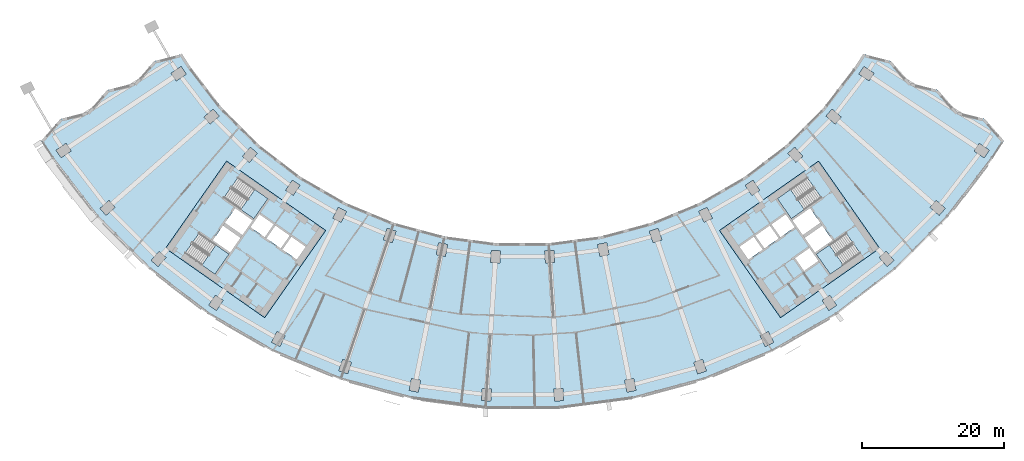
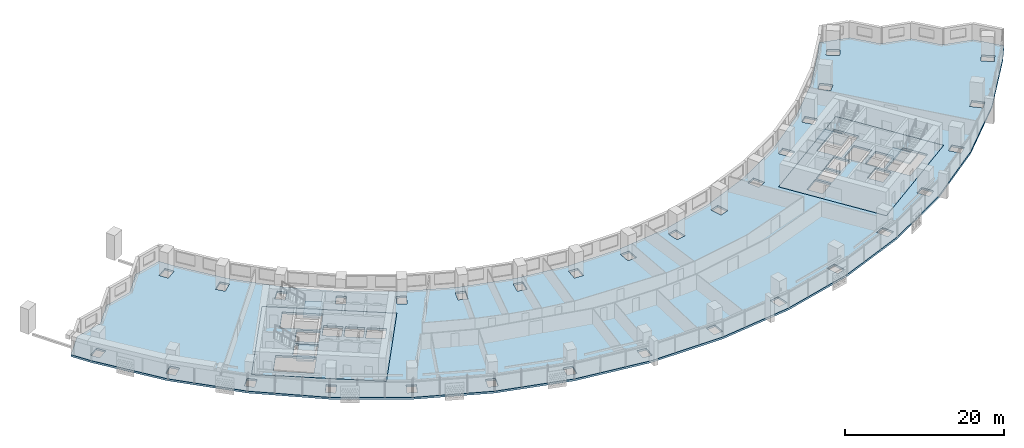
# One storey, part 2 of 30: 7 slabs, 4 elements without a shape of their own.
"""IFC4 building model written with IfcOpenShell, lengths in metres."""

import ifcopenshell
import ifcopenshell.guid

model = None  # the IFC model being written
_history = None  # IfcOwnerHistory: only IFC2X3 demands one
_inside = {}  # id of a spatial element -> (the spatial element, [elements in it])
_under = {}  # id of a project, library or spatial element -> (it, [spatial elements below it])
_declared = {}  # id of a project -> (the project, [libraries it declares])
_typed = {}  # id of a type object -> (the type object, [elements of that type])
_made_of = {}  # id of a material, layer set ... -> (it, [elements and type objects made of it])


def new_model(schema):
    """Start an empty IFC model of exactly this schema.

    Asked for "IFC4X3", IfcOpenShell would pick the latest addendum, in which some entities
    have other attributes; the version numbers below select the first issue.
    IFC2X3 requires an IfcOwnerHistory on every rooted entity: one is made here for all.
    """
    global model, _history
    if schema == "IFC4X3":
        model = ifcopenshell.file(schema_version=(4, 3, 0, 0))
    else:
        model = ifcopenshell.file(schema=schema)
    _inside.clear()
    _under.clear()
    _declared.clear()
    _typed.clear()
    _made_of.clear()
    _history = None
    if model.schema == "IFC2X3":
        org = make("IfcOrganization", Name="unknown")
        user = make(
            "IfcPersonAndOrganization",
            ThePerson=make("IfcPerson", FamilyName="unknown"),
            TheOrganization=org,
        )
        app = make(
            "IfcApplication",
            ApplicationDeveloper=org,
            Version="unknown",
            ApplicationFullName="unknown",
            ApplicationIdentifier="unknown",
        )
        _history = make(
            "IfcOwnerHistory",
            OwningUser=user,
            OwningApplication=app,
            ChangeAction="ADDED",
            CreationDate=0,
        )
    return model


def make(cls, **values):
    """One entity of the class cls with the attributes given. An attribute that is None is left unset."""
    return model.create_entity(
        cls, **{name: value for name, value in values.items() if value is not None}
    )


def rooted(cls, **values):
    """An entity with a GlobalId (a new one), such as an element, a storey or a relation."""
    return make(cls, GlobalId=ifcopenshell.guid.new(), OwnerHistory=_history, **values)


def si_unit(unit_type, name, prefix=None):
    """IfcSIUnit, for example si_unit("LENGTHUNIT", "METRE", prefix="MILLI")."""
    return make("IfcSIUnit", UnitType=unit_type, Prefix=prefix, Name=name)


def assignment(units):
    """IfcUnitAssignment: the units of a project."""
    return None if units is None else make("IfcUnitAssignment", Units=units)


def point(xyz):
    """IfcCartesianPoint."""
    return None if xyz is None else make("IfcCartesianPoint", Coordinates=xyz)


def direction(xyz):
    """IfcDirection."""
    return None if xyz is None else make("IfcDirection", DirectionRatios=xyz)


def frame(location, z_axis=None, x_axis=None):
    """IfcAxis2Placement3D, a coordinate frame: its origin and axes. An axis left out is left unset."""
    return make(
        "IfcAxis2Placement3D",
        Location=point(location),
        Axis=direction(z_axis),
        RefDirection=direction(x_axis),
    )


def origin():
    """The frame at (0, 0, 0) with its axes left unset."""
    return frame((0.0, 0.0, 0.0))


def place(relative_to, where):
    """IfcLocalPlacement: puts the frame where relative to a parent placement (None: the world)."""
    return make(
        "IfcLocalPlacement", PlacementRelTo=relative_to, RelativePlacement=where
    )


def context(
    kind, dimensions, precision=None, world=None, true_north=None, identifier=None
):
    """IfcGeometricRepresentationContext, for example the 3D "Model" context."""
    return make(
        "IfcGeometricRepresentationContext",
        ContextIdentifier=identifier,
        ContextType=kind,
        CoordinateSpaceDimension=dimensions,
        Precision=precision,
        WorldCoordinateSystem=world,
        TrueNorth=true_north,
    )


def subcontext(parent, identifier, kind, view, scale=None):
    """IfcGeometricRepresentationSubContext, for example "Body" below "Model"."""
    return make(
        "IfcGeometricRepresentationSubContext",
        ContextIdentifier=identifier,
        ContextType=kind,
        ParentContext=parent,
        TargetScale=scale,
        TargetView=view,
    )


def project(units=None, contexts=None):
    """IfcProject with its units and contexts."""
    return rooted(
        "IfcProject",
        Name="project",
        RepresentationContexts=contexts,
        UnitsInContext=assignment(units),
    )


def spatial(cls, under=None, at=None, **own):
    """A site, building, storey or space (cls), placed at a placement, below another one or the project."""
    s = rooted(cls, ObjectPlacement=at, **own)
    if under is not None:
        _under.setdefault(under.id(), (under, []))[1].append(s)
    return s


def polyline(points):
    """IfcPolyline through the points."""
    return make("IfcPolyline", Points=[point(p) for p in points])


def outline(outer, holes=None, kind="AREA"):
    """IfcArbitraryClosedProfileDef: a profile drawn as a closed curve; with holes, ...WithVoids."""
    if holes is None:
        return make("IfcArbitraryClosedProfileDef", ProfileType=kind, OuterCurve=outer)
    return make(
        "IfcArbitraryProfileDefWithVoids",
        ProfileType=kind,
        OuterCurve=outer,
        InnerCurves=holes,
    )


def extrude(swept, where, along, depth):
    """IfcExtrudedAreaSolid: the profile swept, set in the frame where, extruded along a direction by depth."""
    return make(
        "IfcExtrudedAreaSolid",
        SweptArea=swept,
        Position=where,
        ExtrudedDirection=direction(along),
        Depth=depth,
    )


def shape(context_of_items, identifier, shape_type, items):
    """IfcShapeRepresentation: the items that make up one representation, for example the "Body"."""
    return make(
        "IfcShapeRepresentation",
        ContextOfItems=context_of_items,
        RepresentationIdentifier=identifier,
        RepresentationType=shape_type,
        Items=items,
    )


def material(Name=None, Category=None):
    """IfcMaterial."""
    return make("IfcMaterial", Name=Name, Category=Category)


def layer(
    of_material, thickness, ventilated=None, Name=None, Category=None, Priority=None
):
    """IfcMaterialLayer: one layer of a wall or slab, of a material (None: an air gap)."""
    return make(
        "IfcMaterialLayer",
        Material=of_material,
        LayerThickness=thickness,
        IsVentilated=ventilated,
        Name=Name,
        Category=Category,
        Priority=Priority,
    )


def layer_set(layers, Name=None):
    """IfcMaterialLayerSet."""
    return make("IfcMaterialLayerSet", MaterialLayers=layers, LayerSetName=Name)


def made_of(thing, what):
    """Note that an element or type object is made of a material, layer set ...; save() writes the relation."""
    if what is not None:
        _made_of.setdefault(what.id(), (what, []))[1].append(thing)
    return thing


def type_object(cls, material=None, **own):
    """A type object (cls), such as IfcWallType, which elements share."""
    return made_of(rooted(cls, **own), material)


def element(
    cls,
    number,
    at=None,
    inside=None,
    cuts=None,
    type_object=None,
    material=None,
    context=None,
    identifier="Body",
    shape_type=None,
    held_by="IfcProductDefinitionShape",
    body=None,
    shapes=None,
    **own,
):
    """One element of the class cls, such as IfcWall. Its Tag is "e" and its number.

    at: its placement. inside: the storey or other place that contains it. cuts: it is an
    opening in that element (IfcRelVoidsElement). A single representation is given by context,
    identifier, shape_type and body (its items); several are given by shapes. held_by: the class
    of the entity that holds the representations. save() writes the other relations.
    """
    e = rooted(cls, Tag="e%d" % number, ObjectPlacement=at, **own)
    if body is not None:
        shapes = [shape(context, identifier, shape_type, body)]
    if shapes is not None:
        e.Representation = make(held_by, Representations=shapes)
    if inside is not None:
        _inside.setdefault(inside.id(), (inside, []))[1].append(e)
    if cuts is not None:
        rooted(
            "IfcRelVoidsElement", RelatingBuildingElement=cuts, RelatedOpeningElement=e
        )
    if type_object is not None:
        _typed.setdefault(type_object.id(), (type_object, []))[1].append(e)
    return made_of(e, material)


def aggregate(whole, parts):
    """IfcRelAggregates: a whole, such as a stair, and the parts it consists of."""
    return rooted("IfcRelAggregates", RelatingObject=whole, RelatedObjects=parts)


def save(model, path):
    """Write the relations noted so far, then the file.

    IfcRelAggregates (storeys below a building ...), IfcRelContainedInSpatialStructure (elements
    in a storey), IfcRelDefinesByType, IfcRelAssociatesMaterial and IfcRelDeclares: one each for
    every whole, place, type object, material and project.
    """
    for whole, parts in _under.values():
        aggregate(whole, parts)
    for where, things in _inside.values():
        rooted(
            "IfcRelContainedInSpatialStructure",
            RelatedElements=things,
            RelatingStructure=where,
        )
    for kind, things in _typed.values():
        rooted("IfcRelDefinesByType", RelatedObjects=things, RelatingType=kind)
    for what, things in _made_of.values():
        rooted("IfcRelAssociatesMaterial", RelatedObjects=things, RelatingMaterial=what)
    for by, libraries in _declared.values():
        rooted("IfcRelDeclares", RelatingContext=by, RelatedDefinitions=libraries)
    model.write(path)


model = new_model("IFC4")

# Units and contexts
model_context = context("Model", 3, precision=1e-05, world=origin(), true_north=direction((0.0, 1.0)))
body_context = subcontext(model_context, "Body", "Model", "MODEL_VIEW")
ifc_project = project(units=[si_unit("LENGTHUNIT", "METRE"), si_unit("AREAUNIT", "SQUARE_METRE"), si_unit("VOLUMEUNIT", "CUBIC_METRE"), si_unit("PLANEANGLEUNIT", "RADIAN"), si_unit("MASSUNIT", "GRAM", prefix="KILO")], contexts=[model_context])

# Site, building, storey
site_placement = place(None, origin())
site = spatial("IfcSite", under=ifc_project, at=site_placement, CompositionType="ELEMENT")
building_placement = place(site_placement, origin())
building = spatial("IfcBuilding", under=site, at=building_placement, Name="Qamariyya Broadcast Tower", CompositionType="ELEMENT")
storey_placement = place(building_placement, frame((0.0, 0.0, 67.10009765625)))
storey = spatial("IfcBuildingStorey", under=building, at=storey_placement, Name="L13", CompositionType="ELEMENT", Elevation=67.10009765625)

# Slabs
ifc_material_1 = material(Name="Concrete C40/50", Category="concrete")
ifc_layer_1 = layer(ifc_material_1, 0.300048828125)
ifc_layer_set_1 = layer_set([ifc_layer_1], Name="Core floor slab 300 mm Concrete C40/50")
slab_type_1 = type_object("IfcSlabType", Name="Core floor slab 300 mm Concrete C40/50", PredefinedType="FLOOR", material=ifc_layer_set_1)
slab_1_placement = place(storey_placement, frame((0.0, 0.0, -0.300048828125)))
element("IfcSlab", 1, at=slab_1_placement, inside=storey, type_object=slab_type_1, Name="k-W-L13-slab", PredefinedType="FLOOR", context=body_context, shape_type="SweptSolid", body=[
    extrude(outline(polyline([(-50.286376953125, -56.95751953125), (-36.32373046875, -66.734375), (-27.719970703125, -54.447021484375), (-41.6826171875, -44.67041015625), (-50.286376953125, -56.95751953125)]), holes=[polyline([(-31.80859375, -58.542724609375), (-33.8154296875, -57.137451171875), (-32.5537109375, -55.335205078125), (-30.546630859375, -56.740478515625), (-31.80859375, -58.542724609375)]), polyline([(-34.061279296875, -56.96533203125), (-36.068115234375, -55.56005859375), (-34.806396484375, -53.758056640625), (-32.79931640625, -55.163330078125), (-34.061279296875, -56.96533203125)]), polyline([(-36.31396484375, -55.387939453125), (-38.32080078125, -53.982666015625), (-37.058837890625, -52.1806640625), (-35.052001953125, -53.5859375), (-36.31396484375, -55.387939453125)]), polyline([(-39.742431640625, -55.489990234375), (-42.199951171875, -53.769287109375), (-43.6337890625, -55.817138671875), (-41.17626953125, -57.537841796875), (-39.742431640625, -55.489990234375)]), polyline([(-39.45556640625, -55.080322265625), (-41.9130859375, -53.359619140625), (-40.47900390625, -51.311767578125), (-38.021728515625, -53.032470703125), (-39.45556640625, -55.080322265625)]), polyline([(-42.06103515625, -49.837890625), (-37.849609375, -52.78662109375), (-35.870849609375, -49.960693359375), (-40.082275390625, -47.01171875), (-42.06103515625, -49.837890625)]), polyline([(-47.538818359375, -57.66064453125), (-43.3271484375, -60.609619140625), (-41.348388671875, -57.783447265625), (-45.559814453125, -54.834716796875), (-47.538818359375, -57.66064453125)])]), origin(), (0.0, 0.0, 1.0), 0.300048828125),
])
slab_2_placement = place(storey_placement, frame((0.0, 0.0, -0.300048828125)))
element("IfcSlab", 2, at=slab_2_placement, inside=storey, type_object=slab_type_1, Name="k-E-L13-slab", PredefinedType="FLOOR", context=body_context, shape_type="SweptSolid", body=[
    extrude(outline(polyline([(36.32373046875, -66.734375), (50.286376953125, -56.95751953125), (41.6826171875, -44.67041015625), (27.719970703125, -54.447021484375), (36.32373046875, -66.734375)]), holes=[polyline([(31.80859375, -58.542724609375), (33.8154296875, -57.137451171875), (32.5537109375, -55.335205078125), (30.546630859375, -56.740478515625), (31.80859375, -58.542724609375)]), polyline([(34.061279296875, -56.96533203125), (36.068115234375, -55.56005859375), (34.806396484375, -53.758056640625), (32.79931640625, -55.163330078125), (34.061279296875, -56.96533203125)]), polyline([(36.31396484375, -55.387939453125), (38.32080078125, -53.982666015625), (37.058837890625, -52.1806640625), (35.052001953125, -53.5859375), (36.31396484375, -55.387939453125)]), polyline([(38.378662109375, -58.3369140625), (40.3857421875, -56.931640625), (41.6474609375, -58.73388671875), (39.640625, -60.13916015625), (38.378662109375, -58.3369140625)]), polyline([(39.742431640625, -55.489990234375), (42.199951171875, -53.769287109375), (43.6337890625, -55.817138671875), (41.17626953125, -57.537841796875), (39.742431640625, -55.489990234375)]), polyline([(39.45556640625, -55.080322265625), (41.9130859375, -53.359619140625), (40.47900390625, -51.311767578125), (38.021728515625, -53.032470703125), (39.45556640625, -55.080322265625)]), polyline([(40.082275390625, -47.01171875), (35.870849609375, -49.960693359375), (37.849609375, -52.78662109375), (42.06103515625, -49.837890625), (40.082275390625, -47.01171875)]), polyline([(45.559814453125, -54.834716796875), (41.348388671875, -57.783447265625), (43.3271484375, -60.609619140625), (47.538818359375, -57.66064453125), (45.559814453125, -54.834716796875)])]), origin(), (0.0, 0.0, 1.0), 0.300048828125),
])
ifc_layer_2 = layer(ifc_material_1, 0.300048828125)
ifc_layer_set_2 = layer_set([ifc_layer_2], Name="Post-tensioned floor slab 300 C40/50")
slab_type_2 = type_object("IfcSlabType", Name="Post-tensioned floor slab 300 C40/50", PredefinedType="FLOOR", material=ifc_layer_set_2)
slab_3_placement = place(storey_placement, frame((0.0, 0.0, -0.300048828125)))
element("IfcSlab", 3, at=slab_3_placement, inside=storey, type_object=slab_type_2, Name="Floor slab S4 L13", PredefinedType="FLOOR", context=body_context, shape_type="SweptSolid", body=[
    extrude(outline(polyline([(-65.109130859375, -38.747802734375), (-67.79248046875, -41.812744140625), (-66.2265625, -44.251220703125), (-59.884033203125, -52.516845703125), (-52.516845703125, -59.884033203125), (-44.251220703125, -66.2265625), (-35.228271484375, -71.43603515625), (-25.6025390625, -75.423095703125), (-15.5390625, -78.11962890625), (-5.20947265625, -79.4794921875), (5.20947265625, -79.4794921875), (15.5390625, -78.11962890625), (25.6025390625, -75.423095703125), (35.228271484375, -71.43603515625), (44.251220703125, -66.2265625), (52.516845703125, -59.884033203125), (59.884033203125, -52.516845703125), (66.2265625, -44.251220703125), (67.79248046875, -41.812744140625), (65.109130859375, -38.747802734375), (61.18212890625, -37.735595703125), (58.497802734375, -34.670166015625), (54.571533203125, -33.658447265625), (51.885986328125, -30.59228515625), (47.961181640625, -29.581298828125), (46.853271484375, -31.306396484375), (42.3662109375, -37.154052734375), (37.154052734375, -42.3662109375), (31.306396484375, -46.853271484375), (24.9228515625, -50.538818359375), (18.113037109375, -53.359619140625), (10.993408203125, -55.267333984375), (3.685546875, -56.229248046875), (-3.685546875, -56.229248046875), (-10.993408203125, -55.267333984375), (-18.113037109375, -53.359619140625), (-24.9228515625, -50.538818359375), (-31.306396484375, -46.853271484375), (-37.154052734375, -42.3662109375), (-42.3662109375, -37.154052734375), (-46.853271484375, -31.306396484375), (-47.961181640625, -29.581298828125), (-51.885986328125, -30.59228515625), (-54.571533203125, -33.658447265625), (-58.497802734375, -34.670166015625), (-61.18212890625, -37.735595703125), (-65.109130859375, -38.747802734375)]), holes=[polyline([(-5.789306640625, -78.38916015625), (-5.67822265625, -76.69287109375), (-4.380859375, -76.77783203125), (-4.4921875, -78.47412109375), (-5.789306640625, -78.38916015625)]), polyline([(-15.9716796875, -76.962890625), (-15.639892578125, -75.295654296875), (-14.364990234375, -75.54931640625), (-14.696533203125, -77.216552734375), (-15.9716796875, -76.962890625)]), polyline([(-25.880615234375, -74.2197265625), (-25.334228515625, -72.610107421875), (-24.103271484375, -73.02783203125), (-24.649658203125, -74.6376953125), (-25.880615234375, -74.2197265625)]), polyline([(-35.346923828125, -70.206787109375), (-34.594970703125, -68.68212890625), (-33.428955078125, -69.257080078125), (-34.180908203125, -70.78173828125), (-35.346923828125, -70.206787109375)]), polyline([(-44.208251953125, -64.992431640625), (-43.263916015625, -63.578857421875), (-42.182861328125, -64.301025390625), (-43.12744140625, -65.714599609375), (-44.208251953125, -64.992431640625)]), polyline([(-52.313232421875, -58.666015625), (-51.1923828125, -57.387939453125), (-50.215087890625, -58.2451171875), (-51.3359375, -59.523193359375), (-52.313232421875, -58.666015625)]), polyline([(-12.167236328125, -57.837646484375), (-11.835693359375, -56.170166015625), (-10.560791015625, -56.423828125), (-10.892333984375, -58.09130859375), (-12.167236328125, -57.837646484375)]), polyline([(-41.6826171875, -44.67041015625), (-27.719970703125, -54.447021484375), (-36.32373046875, -66.734375), (-50.286376953125, -56.95751953125), (-41.6826171875, -44.67041015625)]), polyline([(-19.066162109375, -54.144775390625), (-17.835205078125, -54.562744140625), (-18.381591796875, -56.172607421875), (-19.612548828125, -55.754638671875), (-19.066162109375, -54.144775390625)]), polyline([(-26.72216796875, -52.7177734375), (-25.970458984375, -51.193115234375), (-24.804443359375, -51.76806640625), (-25.556396484375, -53.292724609375), (-26.72216796875, -52.7177734375)]), polyline([(-59.523193359375, -51.3359375), (-58.2451171875, -50.215087890625), (-57.387939453125, -51.1923828125), (-58.666015625, -52.313232421875), (-59.523193359375, -51.3359375)]), polyline([(-33.374755859375, -48.77880859375), (-32.43017578125, -47.365234375), (-31.349365234375, -48.08740234375), (-32.293701171875, -49.5009765625), (-33.374755859375, -48.77880859375)]), polyline([(-39.4560546875, -44.005126953125), (-38.335205078125, -42.72705078125), (-37.357666015625, -43.584228515625), (-38.478759765625, -44.8623046875), (-39.4560546875, -44.005126953125)]), polyline([(-65.714599609375, -43.12744140625), (-64.301025390625, -42.182861328125), (-63.578857421875, -43.263916015625), (-64.992431640625, -44.208251953125), (-65.714599609375, -43.12744140625)]), polyline([(-44.8623046875, -38.478759765625), (-43.584228515625, -37.357666015625), (-42.72705078125, -38.335205078125), (-44.005126953125, -39.4560546875), (-44.8623046875, -38.478759765625)]), polyline([(-48.08740234375, -31.349365234375), (-47.365234375, -32.43017578125), (-48.77880859375, -33.374755859375), (-49.5009765625, -32.293701171875), (-48.08740234375, -31.349365234375)]), polyline([(4.4921875, -78.47412109375), (4.380859375, -76.77783203125), (5.67822265625, -76.69287109375), (5.789306640625, -78.38916015625), (4.4921875, -78.47412109375)]), polyline([(14.696533203125, -77.216552734375), (14.364990234375, -75.54931640625), (15.639892578125, -75.295654296875), (15.9716796875, -76.962890625), (14.696533203125, -77.216552734375)]), polyline([(24.649658203125, -74.6376953125), (24.103271484375, -73.02783203125), (25.334228515625, -72.610107421875), (25.880615234375, -74.2197265625), (24.649658203125, -74.6376953125)]), polyline([(34.180908203125, -70.78173828125), (33.428955078125, -69.257080078125), (34.594970703125, -68.68212890625), (35.346923828125, -70.206787109375), (34.180908203125, -70.78173828125)]), polyline([(43.12744140625, -65.714599609375), (42.182861328125, -64.301025390625), (43.263916015625, -63.578857421875), (44.208251953125, -64.992431640625), (43.12744140625, -65.714599609375)]), polyline([(51.3359375, -59.523193359375), (50.215087890625, -58.2451171875), (51.1923828125, -57.387939453125), (52.313232421875, -58.666015625), (51.3359375, -59.523193359375)]), polyline([(3.216796875, -59.015869140625), (3.10546875, -57.319580078125), (4.40283203125, -57.234619140625), (4.513916015625, -58.930908203125), (3.216796875, -59.015869140625)]), polyline([(-4.40283203125, -57.234619140625), (-3.10546875, -57.319580078125), (-3.216796875, -59.015869140625), (-4.513916015625, -58.930908203125), (-4.40283203125, -57.234619140625)]), polyline([(10.560791015625, -56.423828125), (11.835693359375, -56.170166015625), (12.167236328125, -57.837646484375), (10.892333984375, -58.09130859375), (10.560791015625, -56.423828125)]), polyline([(36.32373046875, -66.734375), (27.719970703125, -54.447021484375), (41.6826171875, -44.67041015625), (50.286376953125, -56.95751953125), (36.32373046875, -66.734375)]), polyline([(18.381591796875, -56.172607421875), (17.835205078125, -54.562744140625), (19.066162109375, -54.144775390625), (19.612548828125, -55.754638671875), (18.381591796875, -56.172607421875)]), polyline([(25.556396484375, -53.292724609375), (24.804443359375, -51.76806640625), (25.970458984375, -51.193115234375), (26.72216796875, -52.7177734375), (25.556396484375, -53.292724609375)]), polyline([(58.666015625, -52.313232421875), (57.387939453125, -51.1923828125), (58.2451171875, -50.215087890625), (59.523193359375, -51.3359375), (58.666015625, -52.313232421875)]), polyline([(32.293701171875, -49.5009765625), (31.349365234375, -48.08740234375), (32.43017578125, -47.365234375), (33.374755859375, -48.77880859375), (32.293701171875, -49.5009765625)]), polyline([(38.478759765625, -44.8623046875), (37.357666015625, -43.584228515625), (38.335205078125, -42.72705078125), (39.4560546875, -44.005126953125), (38.478759765625, -44.8623046875)]), polyline([(64.992431640625, -44.208251953125), (63.578857421875, -43.263916015625), (64.301025390625, -42.182861328125), (65.714599609375, -43.12744140625), (64.992431640625, -44.208251953125)]), polyline([(42.72705078125, -38.335205078125), (43.584228515625, -37.357666015625), (44.8623046875, -38.478759765625), (44.005126953125, -39.4560546875), (42.72705078125, -38.335205078125)]), polyline([(47.365234375, -32.43017578125), (48.08740234375, -31.349365234375), (49.5009765625, -32.293701171875), (48.77880859375, -33.374755859375), (47.365234375, -32.43017578125)])]), origin(), (0.0, 0.0, 1.0), 0.300048828125),
])

# Stair, slab
ifc_material_2 = material(Name="Concrete C50/60", Category="concrete")
stair_type = type_object("IfcStairType", Name="Exit stair 22 risers of 173 mm", PredefinedType="HALF_TURN_STAIR", material=ifc_material_2)
stair_1_placement = place(storey_placement, origin())
stair_1 = element("IfcStair", 4, at=stair_1_placement, inside=storey, type_object=stair_type, Name="L13 Stair W2", PredefinedType="HALF_TURN_STAIR")
ifc_layer_3 = layer(ifc_material_2, 0.199951171875)
ifc_layer_set_3 = layer_set([ifc_layer_3], Name="Stair landing")
slab_type_3 = type_object("IfcSlabType", Name="Stair landing", PredefinedType="LANDING", material=ifc_layer_set_3)
slab_4_placement = place(storey_placement, frame((0.0, 0.0, 1.699951171875)))
slab_4 = element("IfcSlab", 5, at=slab_4_placement, type_object=slab_type_3, Name="ST-W2 landing 1", PredefinedType="LANDING", context=body_context, shape_type="SweptSolid", body=[
    extrude(outline(polyline([(-39.692138671875, -51.49658203125), (-37.849609375, -52.78662109375), (-35.870849609375, -49.960693359375), (-37.71337890625, -48.67041015625), (-39.692138671875, -51.49658203125)])), origin(), (0.0, 0.0, 1.0), 0.199951171875),
])
aggregate(stair_1, [slab_4])

stair_2_placement = place(storey_placement, origin())
stair_2 = element("IfcStair", 6, at=stair_2_placement, inside=storey, type_object=stair_type, Name="L13 Stair W1", PredefinedType="HALF_TURN_STAIR")
slab_5_placement = place(storey_placement, frame((0.0, 0.0, 1.699951171875)))
slab_5 = element("IfcSlab", 7, at=slab_5_placement, type_object=slab_type_3, Name="ST-W1 landing 1", PredefinedType="LANDING", context=body_context, shape_type="SweptSolid", body=[
    extrude(outline(polyline([(-45.169677734375, -59.319580078125), (-43.3271484375, -60.609619140625), (-41.348388671875, -57.783447265625), (-43.19091796875, -56.493408203125), (-45.169677734375, -59.319580078125)])), origin(), (0.0, 0.0, 1.0), 0.199951171875),
])
aggregate(stair_2, [slab_5])

stair_3_placement = place(storey_placement, origin())
stair_3 = element("IfcStair", 8, at=stair_3_placement, inside=storey, type_object=stair_type, Name="L13 Stair E2", PredefinedType="HALF_TURN_STAIR")
slab_6_placement = place(storey_placement, frame((0.0, 0.0, 1.699951171875)))
slab_6 = element("IfcSlab", 9, at=slab_6_placement, type_object=slab_type_3, Name="ST-E2 landing 1", PredefinedType="LANDING", context=body_context, shape_type="SweptSolid", body=[
    extrude(outline(polyline([(37.71337890625, -48.67041015625), (35.870849609375, -49.960693359375), (37.849609375, -52.78662109375), (39.692138671875, -51.49658203125), (37.71337890625, -48.67041015625)])), origin(), (0.0, 0.0, 1.0), 0.199951171875),
])
aggregate(stair_3, [slab_6])

stair_4_placement = place(storey_placement, origin())
stair_4 = element("IfcStair", 10, at=stair_4_placement, inside=storey, type_object=stair_type, Name="L13 Stair E1", PredefinedType="HALF_TURN_STAIR")
slab_7_placement = place(storey_placement, frame((0.0, 0.0, 1.699951171875)))
slab_7 = element("IfcSlab", 11, at=slab_7_placement, type_object=slab_type_3, Name="ST-E1 landing 1", PredefinedType="LANDING", context=body_context, shape_type="SweptSolid", body=[
    extrude(outline(polyline([(43.19091796875, -56.493408203125), (41.348388671875, -57.783447265625), (43.3271484375, -60.609619140625), (45.169677734375, -59.319580078125), (43.19091796875, -56.493408203125)])), origin(), (0.0, 0.0, 1.0), 0.199951171875),
])
aggregate(stair_4, [slab_7])

save(model, "model.ifc")
